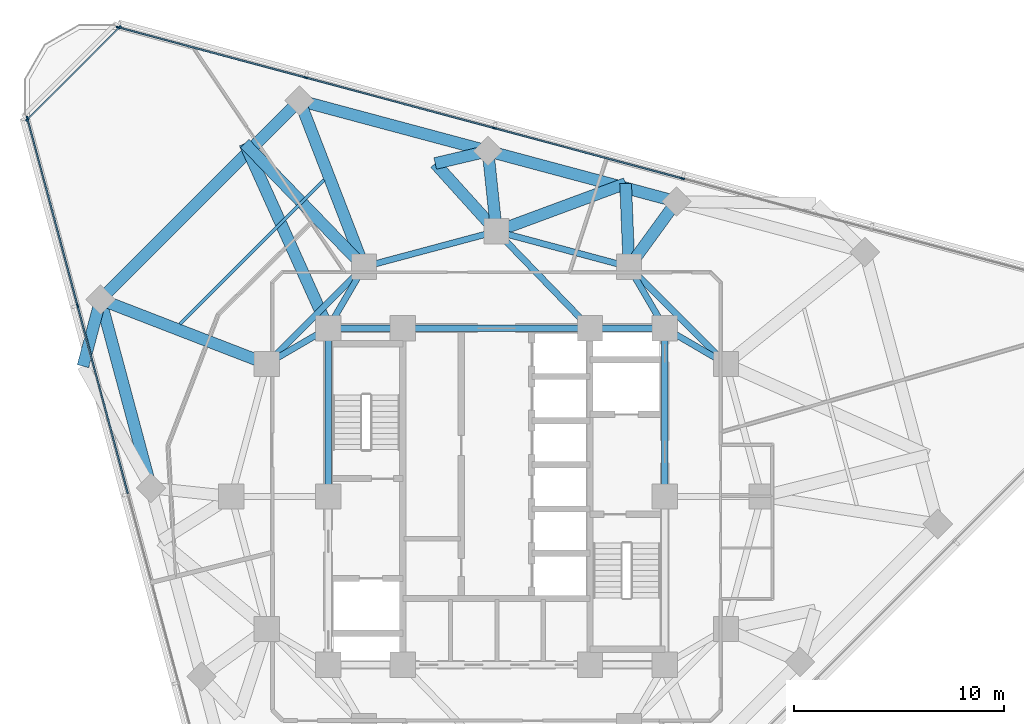
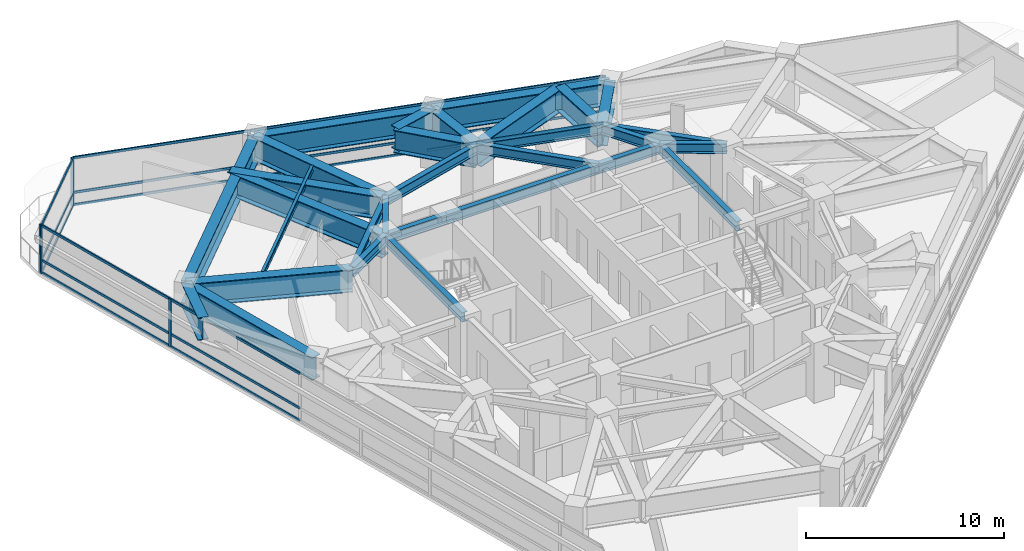
# One storey, part 5 of 15: 30 beams, 26 members, 3 elements without a shape of their own.
"""IFC4 building model written with IfcOpenShell, lengths in metres."""

from ifc_helpers import new_model, si_unit, direction, frame, origin, origin_2d, place, context, subcontext, project, spatial, rectangle, i_section, extrude, material, layer, layer_set, material_profile, profile_set, type_object, element, aggregate, save


model = new_model("IFC4")

# Units and contexts
model_context = context("Model", 3, precision=1e-05, world=origin(), true_north=direction((0.0, 1.0)))
body_context = subcontext(model_context, "Body", "Model", "MODEL_VIEW")
ifc_project = project(units=[si_unit("LENGTHUNIT", "METRE"), si_unit("AREAUNIT", "SQUARE_METRE"), si_unit("VOLUMEUNIT", "CUBIC_METRE"), si_unit("PLANEANGLEUNIT", "RADIAN"), si_unit("MASSUNIT", "GRAM", prefix="KILO")], contexts=[model_context])

# Site, building, storey
site_placement = place(None, origin())
site = spatial("IfcSite", under=ifc_project, at=site_placement, CompositionType="ELEMENT")
building_placement = place(site_placement, origin())
building = spatial("IfcBuilding", under=site, at=building_placement, Name="Terralouvre Media Tower", CompositionType="ELEMENT")
storey_placement = place(building_placement, frame((0.0, 0.0, 210.10009765625)))
storey = spatial("IfcBuildingStorey", under=building, at=storey_placement, Name="L54", CompositionType="ELEMENT", Elevation=210.10009765625)

# Beam
ifc_material_1 = material(Name="Structural steel S355J2", Category="steel")
ifc_material_profile_1 = material_profile(ifc_material_1, i_section(OverallWidth=0.159912109375, OverallDepth=0.330078125, WebThickness=0.007568359375, FlangeThickness=0.011474609375, at=origin_2d()), Name="IPE 330")
ifc_profile_set_1 = profile_set([ifc_material_profile_1], Name="Structural steel S355J2")
beam_type_1 = type_object("IfcBeamType", Name="Composite Floor Joist J-IPE330 (IPE 330)", PredefinedType="JOIST", material=ifc_profile_set_1)
beam_1_placement = place(storey_placement, frame((-8.1962890625, 15.0439453125, 3.294921875), z_axis=(-0.707106781187, -0.707106781187, 0.0), x_axis=(0.707106781187, -0.707106781187, 0.0)))
element("IfcBeam", 1, at=beam_1_placement, inside=storey, type_object=beam_type_1, Name="L54 Framing Beam JT-L54-05", PredefinedType="JOIST", context=body_context, shape_type="SweptSolid", body=[
    extrude(i_section(OverallWidth=0.159912109375, OverallDepth=0.330078125, WebThickness=0.007568359375, FlangeThickness=0.011474609375, at=origin_2d()), origin(), (0.0, 0.0, 1.0), 9.68408203125),
])

# Curtain wall, members
ifc_material_2 = material(Name="Low-iron laminated double glazing with solar-control coating", Category="glass")
ifc_layer_1 = layer(ifc_material_2, 0.1650390625, Name="Production Studio Tower Curtain Wall CW-03")
ifc_layer_set_1 = layer_set([ifc_layer_1], Name="Low-iron laminated double glazing with solar-control coating")
curtain_wall_type_1 = type_object("IfcCurtainWallType", Name="Production Studio Tower Curtain Wall CW-03", PredefinedType="NOTDEFINED", material=ifc_layer_set_1)
curtain_wall_1_placement = place(storey_placement, origin())
curtain_wall_1 = element("IfcCurtainWall", 2, at=curtain_wall_1_placement, inside=storey, type_object=curtain_wall_type_1, Name="L54 Facade Curtain Wall F1", PredefinedType="NOTDEFINED")
ifc_material_3 = material(Name="Anodised extruded aluminium 6063-T6", Category="aluminium")
ifc_material_profile_2 = material_profile(ifc_material_3, rectangle(XDim=0.074951171875, YDim=0.14990234375, at=origin_2d()), Name="ALU 75x150")
ifc_profile_set_2 = profile_set([ifc_material_profile_2], Name="Anodised extruded aluminium 6063-T6")
member_type_1 = type_object("IfcMemberType", Name="Curtain-Wall Horizontal Transom TR-150", PredefinedType="USERDEFINED", material=ifc_profile_set_2)
member_1_placement = place(storey_placement, frame((8.8115234375, 15.117431640625, 0.037353515625), z_axis=(-0.965926723605, 0.25881569625, 0.0), x_axis=(-0.25881569625, -0.965926723605, 0.0)))
member_1 = element("IfcMember", 3, at=member_1_placement, type_object=member_type_1, Name="CW-03 transom 3.1", ObjectType="TRANSOM", PredefinedType="USERDEFINED", context=body_context, shape_type="SweptSolid", body=[
    extrude(rectangle(XDim=0.074951171875, YDim=0.14990234375, at=origin_2d()), origin(), (0.0, 0.0, 1.0), 9.197265625),
])
member_2_placement = place(storey_placement, frame((8.8115234375, 15.117431640625, 0.7998046875), z_axis=(-0.965926723605, 0.25881569625, 0.0), x_axis=(-0.25881569625, -0.965926723605, 0.0)))
member_2 = element("IfcMember", 4, at=member_2_placement, type_object=member_type_1, Name="CW-03 transom 3.2", ObjectType="TRANSOM", PredefinedType="USERDEFINED", context=body_context, shape_type="SweptSolid", body=[
    extrude(rectangle(XDim=0.074951171875, YDim=0.14990234375, at=origin_2d()), origin(), (0.0, 0.0, 1.0), 9.197265625),
])
member_3_placement = place(storey_placement, frame((8.8115234375, 15.117431640625, 2.92236328125), z_axis=(-0.965926723605, 0.25881569625, 0.0), x_axis=(-0.25881569625, -0.965926723605, 0.0)))
member_3 = element("IfcMember", 5, at=member_3_placement, type_object=member_type_1, Name="CW-03 transom 3.3", ObjectType="TRANSOM", PredefinedType="USERDEFINED", context=body_context, shape_type="SweptSolid", body=[
    extrude(rectangle(XDim=0.074951171875, YDim=0.14990234375, at=origin_2d()), origin(), (0.0, 0.0, 1.0), 9.197265625),
])
member_4_placement = place(storey_placement, frame((-0.14453125, 17.517333984375, 0.037353515625), z_axis=(-0.965926723605, 0.25881569625, 0.0), x_axis=(-0.25881569625, -0.965926723605, 0.0)))
member_4 = element("IfcMember", 6, at=member_4_placement, type_object=member_type_1, Name="CW-03 transom 4.1", ObjectType="TRANSOM", PredefinedType="USERDEFINED", context=body_context, shape_type="SweptSolid", body=[
    extrude(rectangle(XDim=0.074951171875, YDim=0.14990234375, at=origin_2d()), origin(), (0.0, 0.0, 1.0), 9.197265625),
])
member_5_placement = place(storey_placement, frame((-0.14453125, 17.517333984375, 0.7998046875), z_axis=(-0.965926723605, 0.25881569625, 0.0), x_axis=(-0.25881569625, -0.965926723605, 0.0)))
member_5 = element("IfcMember", 7, at=member_5_placement, type_object=member_type_1, Name="CW-03 transom 4.2", ObjectType="TRANSOM", PredefinedType="USERDEFINED", context=body_context, shape_type="SweptSolid", body=[
    extrude(rectangle(XDim=0.074951171875, YDim=0.14990234375, at=origin_2d()), origin(), (0.0, 0.0, 1.0), 9.197265625),
])
member_6_placement = place(storey_placement, frame((-0.14453125, 17.517333984375, 2.92236328125), z_axis=(-0.965926723605, 0.25881569625, 0.0), x_axis=(-0.25881569625, -0.965926723605, 0.0)))
member_6 = element("IfcMember", 8, at=member_6_placement, type_object=member_type_1, Name="CW-03 transom 4.3", ObjectType="TRANSOM", PredefinedType="USERDEFINED", context=body_context, shape_type="SweptSolid", body=[
    extrude(rectangle(XDim=0.074951171875, YDim=0.14990234375, at=origin_2d()), origin(), (0.0, 0.0, 1.0), 9.197265625),
])
member_7_placement = place(storey_placement, frame((-9.1005859375, 19.9169921875, 0.037353515625), z_axis=(-0.965927230856, 0.25881380313, 0.0), x_axis=(-0.25881380313, -0.965927230856, 0.0)))
member_7 = element("IfcMember", 9, at=member_7_placement, type_object=member_type_1, Name="CW-03 transom 5.1", ObjectType="TRANSOM", PredefinedType="USERDEFINED", context=body_context, shape_type="SweptSolid", body=[
    extrude(rectangle(XDim=0.074951171875, YDim=0.14990234375, at=origin_2d()), origin(), (0.0, 0.0, 1.0), 9.159423828125),
])
member_8_placement = place(storey_placement, frame((-9.1005859375, 19.9169921875, 0.7998046875), z_axis=(-0.965927230856, 0.25881380313, 0.0), x_axis=(-0.25881380313, -0.965927230856, 0.0)))
member_8 = element("IfcMember", 10, at=member_8_placement, type_object=member_type_1, Name="CW-03 transom 5.2", ObjectType="TRANSOM", PredefinedType="USERDEFINED", context=body_context, shape_type="SweptSolid", body=[
    extrude(rectangle(XDim=0.074951171875, YDim=0.14990234375, at=origin_2d()), origin(), (0.0, 0.0, 1.0), 9.159423828125),
])
member_9_placement = place(storey_placement, frame((-9.1005859375, 19.9169921875, 2.92236328125), z_axis=(-0.965927230856, 0.25881380313, 0.0), x_axis=(-0.25881380313, -0.965927230856, 0.0)))
member_9 = element("IfcMember", 11, at=member_9_placement, type_object=member_type_1, Name="CW-03 transom 5.3", ObjectType="TRANSOM", PredefinedType="USERDEFINED", context=body_context, shape_type="SweptSolid", body=[
    extrude(rectangle(XDim=0.074951171875, YDim=0.14990234375, at=origin_2d()), origin(), (0.0, 0.0, 1.0), 9.159423828125),
])

curtain_wall_2_placement = place(storey_placement, origin())
curtain_wall_2 = element("IfcCurtainWall", 12, at=curtain_wall_2_placement, inside=storey, type_object=curtain_wall_type_1, Name="L54 Facade Curtain Wall F2", PredefinedType="NOTDEFINED")
member_10_placement = place(storey_placement, frame((-22.28759765625, 17.947998046875, 0.037353515625), z_axis=(0.25881380313, -0.965927230856, 0.0), x_axis=(0.965927230856, 0.25881380313, 0.0)))
member_10 = element("IfcMember", 13, at=member_10_placement, type_object=member_type_1, Name="CW-03 transom 1.1", ObjectType="TRANSOM", PredefinedType="USERDEFINED", context=body_context, shape_type="SweptSolid", body=[
    extrude(rectangle(XDim=0.074951171875, YDim=0.14990234375, at=origin_2d()), origin(), (0.0, 0.0, 1.0), 9.159423828125),
])
member_11_placement = place(storey_placement, frame((-22.28759765625, 17.947998046875, 0.7998046875), z_axis=(0.25881380313, -0.965927230856, 0.0), x_axis=(0.965927230856, 0.25881380313, 0.0)))
member_11 = element("IfcMember", 14, at=member_11_placement, type_object=member_type_1, Name="CW-03 transom 1.2", ObjectType="TRANSOM", PredefinedType="USERDEFINED", context=body_context, shape_type="SweptSolid", body=[
    extrude(rectangle(XDim=0.074951171875, YDim=0.14990234375, at=origin_2d()), origin(), (0.0, 0.0, 1.0), 9.159423828125),
])
member_12_placement = place(storey_placement, frame((-22.28759765625, 17.947998046875, 2.92236328125), z_axis=(0.25881380313, -0.965927230856, 0.0), x_axis=(0.965927230856, 0.25881380313, 0.0)))
member_12 = element("IfcMember", 15, at=member_12_placement, type_object=member_type_1, Name="CW-03 transom 1.3", ObjectType="TRANSOM", PredefinedType="USERDEFINED", context=body_context, shape_type="SweptSolid", body=[
    extrude(rectangle(XDim=0.074951171875, YDim=0.14990234375, at=origin_2d()), origin(), (0.0, 0.0, 1.0), 9.159423828125),
])
member_13_placement = place(storey_placement, frame((-19.897705078125, 9.0283203125, 0.037353515625), z_axis=(0.25881569625, -0.965926723605, 0.0), x_axis=(0.965926723605, 0.25881569625, 0.0)))
member_13 = element("IfcMember", 16, at=member_13_placement, type_object=member_type_1, Name="CW-03 transom 2.1", ObjectType="TRANSOM", PredefinedType="USERDEFINED", context=body_context, shape_type="SweptSolid", body=[
    extrude(rectangle(XDim=0.074951171875, YDim=0.14990234375, at=origin_2d()), origin(), (0.0, 0.0, 1.0), 9.197265625),
])
member_14_placement = place(storey_placement, frame((-19.897705078125, 9.0283203125, 0.7998046875), z_axis=(0.25881569625, -0.965926723605, 0.0), x_axis=(0.965926723605, 0.25881569625, 0.0)))
member_14 = element("IfcMember", 17, at=member_14_placement, type_object=member_type_1, Name="CW-03 transom 2.2", ObjectType="TRANSOM", PredefinedType="USERDEFINED", context=body_context, shape_type="SweptSolid", body=[
    extrude(rectangle(XDim=0.074951171875, YDim=0.14990234375, at=origin_2d()), origin(), (0.0, 0.0, 1.0), 9.197265625),
])
member_15_placement = place(storey_placement, frame((-19.897705078125, 9.0283203125, 2.92236328125), z_axis=(0.25881569625, -0.965926723605, 0.0), x_axis=(0.965926723605, 0.25881569625, 0.0)))
member_15 = element("IfcMember", 18, at=member_15_placement, type_object=member_type_1, Name="CW-03 transom 2.3", ObjectType="TRANSOM", PredefinedType="USERDEFINED", context=body_context, shape_type="SweptSolid", body=[
    extrude(rectangle(XDim=0.074951171875, YDim=0.14990234375, at=origin_2d()), origin(), (0.0, 0.0, 1.0), 9.197265625),
])

ifc_material_4 = material(Name="Low-iron laminated double glazing with solar-control coating", Category="glass")
ifc_layer_2 = layer(ifc_material_4, 0.1650390625, Name="Rounded Wind-Corner Curved Glazing CW-04")
ifc_layer_set_2 = layer_set([ifc_layer_2], Name="Low-iron laminated double glazing with solar-control coating")
curtain_wall_type_2 = type_object("IfcCurtainWallType", Name="Rounded Wind-Corner Curved Glazing CW-04", PredefinedType="NOTDEFINED", material=ifc_layer_set_2)
curtain_wall_3_placement = place(storey_placement, origin())
curtain_wall_3 = element("IfcCurtainWall", 19, at=curtain_wall_3_placement, inside=storey, type_object=curtain_wall_type_2, Name="L54 Rounded Wind-Corner Curtain Wall C2", PredefinedType="NOTDEFINED")
member_16_placement = place(storey_placement, frame((-17.943603515625, 22.27099609375, 0.037353515625), z_axis=(-0.707106781187, -0.707106781187, 0.0), x_axis=(0.707106781187, -0.707106781187, 0.0)))
member_16 = element("IfcMember", 20, at=member_16_placement, type_object=member_type_1, Name="CW-04 transom 1.1", ObjectType="TRANSOM", PredefinedType="USERDEFINED", context=body_context, shape_type="SweptSolid", body=[
    extrude(rectangle(XDim=0.074951171875, YDim=0.14990234375, at=origin_2d()), origin(), (0.0, 0.0, 1.0), 6.119873046875),
])
member_17_placement = place(storey_placement, frame((-17.943603515625, 22.27099609375, 0.7998046875), z_axis=(-0.707106781187, -0.707106781187, 0.0), x_axis=(0.707106781187, -0.707106781187, 0.0)))
member_17 = element("IfcMember", 21, at=member_17_placement, type_object=member_type_1, Name="CW-04 transom 1.2", ObjectType="TRANSOM", PredefinedType="USERDEFINED", context=body_context, shape_type="SweptSolid", body=[
    extrude(rectangle(XDim=0.074951171875, YDim=0.14990234375, at=origin_2d()), origin(), (0.0, 0.0, 1.0), 6.119873046875),
])
member_18_placement = place(storey_placement, frame((-17.943603515625, 22.27099609375, 2.92236328125), z_axis=(-0.707106781187, -0.707106781187, 0.0), x_axis=(0.707106781187, -0.707106781187, 0.0)))
member_18 = element("IfcMember", 22, at=member_18_placement, type_object=member_type_1, Name="CW-04 transom 1.3", ObjectType="TRANSOM", PredefinedType="USERDEFINED", context=body_context, shape_type="SweptSolid", body=[
    extrude(rectangle(XDim=0.074951171875, YDim=0.14990234375, at=origin_2d()), origin(), (0.0, 0.0, 1.0), 6.119873046875),
])

# Member
ifc_material_5 = material(Name="Anodised extruded aluminium 6063-T6", Category="aluminium")
ifc_material_profile_3 = material_profile(ifc_material_5, rectangle(XDim=0.074951171875, YDim=0.179931640625, at=origin_2d()), Name="ALU 75x180")
ifc_profile_set_3 = profile_set([ifc_material_profile_3], Name="Anodised extruded aluminium 6063-T6")
member_type_2 = type_object("IfcMemberType", Name="Curtain-Wall Vertical Mullion ML-180", PredefinedType="MULLION", material=ifc_profile_set_3)
member_19_placement = place(storey_placement, frame((8.84765625, 15.10791015625, 0.0), z_axis=(0.0, 0.0, 1.0), x_axis=(-0.25881903342, -0.96592582942, 0.0)))
member_19 = element("IfcMember", 23, at=member_19_placement, type_object=member_type_2, Name="CW-03 mullion 3", PredefinedType="MULLION", context=body_context, shape_type="SweptSolid", body=[
    extrude(rectangle(XDim=0.074951171875, YDim=0.179931640625, at=origin_2d()), origin(), (0.0, 0.0, 1.0), 2.9599609375),
])

member_20_placement = place(storey_placement, frame((-0.1083984375, 17.507568359375, 0.0), z_axis=(0.0, 0.0, 1.0), x_axis=(-0.25881903342, -0.96592582942, 0.0)))
member_20 = element("IfcMember", 24, at=member_20_placement, type_object=member_type_2, Name="CW-03 mullion 4", PredefinedType="MULLION", context=body_context, shape_type="SweptSolid", body=[
    extrude(rectangle(XDim=0.074951171875, YDim=0.179931640625, at=origin_2d()), origin(), (0.0, 0.0, 1.0), 2.9599609375),
])

member_21_placement = place(storey_placement, frame((-9.064453125, 19.907470703125, 0.0), z_axis=(0.0, 0.0, 1.0), x_axis=(-0.25881903342, -0.96592582942, 0.0)))
member_21 = element("IfcMember", 25, at=member_21_placement, type_object=member_type_2, Name="CW-03 mullion 5", PredefinedType="MULLION", context=body_context, shape_type="SweptSolid", body=[
    extrude(rectangle(XDim=0.074951171875, YDim=0.179931640625, at=origin_2d()), origin(), (0.0, 0.0, 1.0), 2.9599609375),
])

member_22_placement = place(storey_placement, frame((-17.984375, 22.29736328125, 0.0), z_axis=(0.0, 0.0, 1.0), x_axis=(-0.25881903342, -0.96592582942, 0.0)))
member_22 = element("IfcMember", 26, at=member_22_placement, type_object=member_type_2, Name="CW-03 mullion 6", PredefinedType="MULLION", context=body_context, shape_type="SweptSolid", body=[
    extrude(rectangle(XDim=0.074951171875, YDim=0.179931640625, at=origin_2d()), origin(), (0.0, 0.0, 1.0), 2.9599609375),
])

aggregate(curtain_wall_1, [member_19, member_20, member_21, member_22, member_1, member_2, member_3, member_4, member_5, member_6, member_7, member_8, member_9])

member_23_placement = place(storey_placement, frame((-22.29736328125, 17.984375, 0.0), z_axis=(0.0, 0.0, 1.0), x_axis=(0.96592582942, 0.25881903342, 0.0)))
member_23 = element("IfcMember", 27, at=member_23_placement, type_object=member_type_2, Name="CW-03 mullion 1", PredefinedType="MULLION", context=body_context, shape_type="SweptSolid", body=[
    extrude(rectangle(XDim=0.074951171875, YDim=0.179931640625, at=origin_2d()), origin(), (0.0, 0.0, 1.0), 2.9599609375),
])

member_24_placement = place(storey_placement, frame((-19.907470703125, 9.064453125, 0.0), z_axis=(0.0, 0.0, 1.0), x_axis=(0.96592582942, 0.25881903342, 0.0)))
member_24 = element("IfcMember", 28, at=member_24_placement, type_object=member_type_2, Name="CW-03 mullion 2", PredefinedType="MULLION", context=body_context, shape_type="SweptSolid", body=[
    extrude(rectangle(XDim=0.074951171875, YDim=0.179931640625, at=origin_2d()), origin(), (0.0, 0.0, 1.0), 2.9599609375),
])

aggregate(curtain_wall_2, [member_23, member_24, member_10, member_11, member_12, member_13, member_14, member_15])

member_25_placement = place(storey_placement, frame((-17.9169921875, 22.297607421875, 0.0), z_axis=(0.0, 0.0, 1.0), x_axis=(0.707106781187, -0.707106781187, 0.0)))
member_25 = element("IfcMember", 29, at=member_25_placement, type_object=member_type_2, Name="CW-04 mullion 1", PredefinedType="MULLION", context=body_context, shape_type="SweptSolid", body=[
    extrude(rectangle(XDim=0.074951171875, YDim=0.179931640625, at=origin_2d()), origin(), (0.0, 0.0, 1.0), 2.9599609375),
])

member_26_placement = place(storey_placement, frame((-22.297607421875, 17.9169921875, 0.0), z_axis=(0.0, 0.0, 1.0), x_axis=(0.707106781187, -0.707106781187, 0.0)))
member_26 = element("IfcMember", 30, at=member_26_placement, type_object=member_type_2, Name="CW-04 mullion 2", PredefinedType="MULLION", context=body_context, shape_type="SweptSolid", body=[
    extrude(rectangle(XDim=0.074951171875, YDim=0.179931640625, at=origin_2d()), origin(), (0.0, 0.0, 1.0), 2.9599609375),
])

aggregate(curtain_wall_3, [member_25, member_26, member_16, member_17, member_18])

# Beams
ifc_material_6 = material(Name="Structural steel S460M", Category="steel")
ifc_material_profile_4 = material_profile(ifc_material_6, i_section(OverallWidth=0.300048828125, OverallDepth=0.60009765625, WebThickness=0.015380859375, FlangeThickness=0.030029296875, at=origin_2d()), Name="HEB 600")
ifc_profile_set_4 = profile_set([ifc_material_profile_4], Name="Structural steel S460M")
beam_type_2 = type_object("IfcBeamType", Name="Primary Floor Girder B-HEB600 (HEB 600)", PredefinedType="BEAM", material=ifc_profile_set_4)
beam_2_placement = place(storey_placement, frame((8.0, 0.0, 3.159912109375), z_axis=(0.0, 1.0, 0.0), x_axis=(-1.0, 0.0, 0.0)))
element("IfcBeam", 31, at=beam_2_placement, inside=storey, type_object=beam_type_2, Name="L54 Framing Beam BM-L54-CPR05", PredefinedType="BEAM", context=body_context, shape_type="SweptSolid", body=[
    extrude(i_section(OverallWidth=0.300048828125, OverallDepth=0.60009765625, WebThickness=0.015380859375, FlangeThickness=0.030029296875, at=origin_2d()), origin(), (0.0, 0.0, 1.0), 8.0),
])
beam_3_placement = place(storey_placement, frame((8.0, 8.0, 3.159912109375), z_axis=(-1.0, 0.0, 0.0), x_axis=(0.0, -1.0, 0.0)))
element("IfcBeam", 32, at=beam_3_placement, inside=storey, type_object=beam_type_2, Name="L54 Framing Beam BM-L54-CPR06", PredefinedType="BEAM", context=body_context, shape_type="SweptSolid", body=[
    extrude(i_section(OverallWidth=0.300048828125, OverallDepth=0.60009765625, WebThickness=0.015380859375, FlangeThickness=0.030029296875, at=origin_2d()), origin(), (0.0, 0.0, 1.0), 3.550048828125),
])
beam_4_placement = place(storey_placement, frame((4.449951171875, 8.0, 3.159912109375), z_axis=(-1.0, 0.0, 0.0), x_axis=(0.0, -1.0, 0.0)))
element("IfcBeam", 33, at=beam_4_placement, inside=storey, type_object=beam_type_2, Name="L54 Framing Beam BM-L54-CPR07", PredefinedType="BEAM", context=body_context, shape_type="SweptSolid", body=[
    extrude(i_section(OverallWidth=0.300048828125, OverallDepth=0.60009765625, WebThickness=0.015380859375, FlangeThickness=0.030029296875, at=origin_2d()), origin(), (0.0, 0.0, 1.0), 8.89990234375),
])
beam_5_placement = place(storey_placement, frame((-4.449951171875, 8.0, 3.159912109375), z_axis=(-1.0, 0.0, 0.0), x_axis=(0.0, -1.0, 0.0)))
element("IfcBeam", 34, at=beam_5_placement, inside=storey, type_object=beam_type_2, Name="L54 Framing Beam BM-L54-CPR08", PredefinedType="BEAM", context=body_context, shape_type="SweptSolid", body=[
    extrude(i_section(OverallWidth=0.300048828125, OverallDepth=0.60009765625, WebThickness=0.015380859375, FlangeThickness=0.030029296875, at=origin_2d()), origin(), (0.0, 0.0, 1.0), 3.550048828125),
])
beam_6_placement = place(storey_placement, frame((-8.0, 8.0, 3.159912109375), z_axis=(0.0, -1.0, 0.0), x_axis=(1.0, 0.0, 0.0)))
element("IfcBeam", 35, at=beam_6_placement, inside=storey, type_object=beam_type_2, Name="L54 Framing Beam BM-L54-CPR09", PredefinedType="BEAM", context=body_context, shape_type="SweptSolid", body=[
    extrude(i_section(OverallWidth=0.300048828125, OverallDepth=0.60009765625, WebThickness=0.015380859375, FlangeThickness=0.030029296875, at=origin_2d()), origin(), (0.0, 0.0, 1.0), 8.0),
])
beam_7_placement = place(storey_placement, frame((10.911865234375, 6.300048828125, 3.159912109375), z_axis=(-0.707106781187, 0.707106781187, 0.0), x_axis=(-0.707106781187, -0.707106781187, 0.0)))
element("IfcBeam", 36, at=beam_7_placement, inside=storey, type_object=beam_type_2, Name="L54 Framing Beam BM-L54-MR07", PredefinedType="BEAM", context=body_context, shape_type="SweptSolid", body=[
    extrude(i_section(OverallWidth=0.300048828125, OverallDepth=0.60009765625, WebThickness=0.015380859375, FlangeThickness=0.030029296875, at=origin_2d()), origin(), (0.0, 0.0, 1.0), 6.52197265625),
])
for number, where, z_axis, x_axis, name in (
    (37, (6.300048828125, 10.911865234375, 3.159912109375), (-0.965920481897, 0.258838989821, 0.0), (-0.258838989821, -0.965920481897, 0.0), "L54 Framing Beam BM-L54-MR08"),
    (38, (0.0, 12.60009765625, 3.159912109375), (-0.965920481897, -0.258838989821, 0.0), (0.258838989821, -0.965920481897, 0.0), "L54 Framing Beam BM-L54-MR09"),
):
    element("IfcBeam", number, at=place(storey_placement, frame(where, z_axis=z_axis, x_axis=x_axis)), inside=storey, type_object=beam_type_2, Name=name, PredefinedType="BEAM", context=body_context, shape_type="SweptSolid", body=[
        extrude(i_section(OverallWidth=0.300048828125, OverallDepth=0.60009765625, WebThickness=0.015380859375, FlangeThickness=0.030029296875, at=origin_2d()), origin(), (0.0, 0.0, 1.0), 6.522216796875),
    ])
beam_8_placement = place(storey_placement, frame((-6.300048828125, 10.911865234375, 3.159912109375), z_axis=(-0.707106781187, -0.707106781187, 0.0), x_axis=(0.707106781187, -0.707106781187, 0.0)))
element("IfcBeam", 39, at=beam_8_placement, inside=storey, type_object=beam_type_2, Name="L54 Framing Beam BM-L54-MR10", PredefinedType="BEAM", context=body_context, shape_type="SweptSolid", body=[
    extrude(i_section(OverallWidth=0.300048828125, OverallDepth=0.60009765625, WebThickness=0.015380859375, FlangeThickness=0.030029296875, at=origin_2d()), origin(), (0.0, 0.0, 1.0), 6.52197265625),
])
for number, where, z_axis, x_axis, name in (
    (40, (8.0, 8.0, 3.159912109375), (0.863602894532, -0.504172629717, 0.0), (0.504172629717, 0.863602894532, 0.0), "L54 Framing Beam BM-L54-CM07"),
    (41, (8.0, 8.0, 3.159912109375), (-0.504172629717, 0.863602894532, 0.0), (-0.863602894532, -0.504172629717, 0.0), "L54 Framing Beam BM-L54-CM08"),
):
    element("IfcBeam", number, at=place(storey_placement, frame(where, z_axis=z_axis, x_axis=x_axis)), inside=storey, type_object=beam_type_2, Name=name, PredefinedType="BEAM", context=body_context, shape_type="SweptSolid", body=[
        extrude(i_section(OverallWidth=0.300048828125, OverallDepth=0.60009765625, WebThickness=0.015380859375, FlangeThickness=0.030029296875, at=origin_2d()), origin(), (0.0, 0.0, 1.0), 3.371826171875),
    ])
beam_9_placement = place(storey_placement, frame((4.449951171875, 8.0, 3.159912109375), z_axis=(-0.695279715726, 0.718739255155, 0.0), x_axis=(-0.718739255155, -0.695279715726, 0.0)))
element("IfcBeam", 42, at=beam_9_placement, inside=storey, type_object=beam_type_2, Name="L54 Framing Beam BM-L54-CM09", PredefinedType="BEAM", context=body_context, shape_type="SweptSolid", body=[
    extrude(i_section(OverallWidth=0.300048828125, OverallDepth=0.60009765625, WebThickness=0.015380859375, FlangeThickness=0.030029296875, at=origin_2d()), origin(), (0.0, 0.0, 1.0), 6.400146484375),
])
for number, where, z_axis, x_axis, name in (
    (43, (-8.0, 8.0, 3.159912109375), (0.504172629717, 0.863602894532, 0.0), (-0.863602894532, 0.504172629717, 0.0), "L54 Framing Beam BM-L54-CM10"),
    (44, (-8.0, 8.0, 3.159912109375), (-0.863602894532, -0.504172629717, 0.0), (0.504172629717, -0.863602894532, 0.0), "L54 Framing Beam BM-L54-CM11"),
):
    element("IfcBeam", number, at=place(storey_placement, frame(where, z_axis=z_axis, x_axis=x_axis)), inside=storey, type_object=beam_type_2, Name=name, PredefinedType="BEAM", context=body_context, shape_type="SweptSolid", body=[
        extrude(i_section(OverallWidth=0.300048828125, OverallDepth=0.60009765625, WebThickness=0.015380859375, FlangeThickness=0.030029296875, at=origin_2d()), origin(), (0.0, 0.0, 1.0), 3.371826171875),
    ])
ifc_material_7 = material(Name="Structural steel S460M", Category="steel")
ifc_material_profile_5 = material_profile(ifc_material_7, i_section(OverallWidth=0.56005859375, OverallDepth=1.39990234375, WebThickness=0.031982421875, FlangeThickness=0.050048828125, at=origin_2d()), Name="TG 1400x560")
ifc_profile_set_5 = profile_set([ifc_material_profile_5], Name="Structural steel S460M")
beam_type_3 = type_object("IfcBeamType", Name="Welded Transfer Girder TG-1400 (TG 1400x560)", PredefinedType="USERDEFINED", material=ifc_profile_set_5)
for number, where, z_axis, x_axis, name in (
    (45, (8.55517578125, 14.016357421875, 2.760009765625), (-0.965928776458, 0.258808034669, 0.0), (-0.258808034669, -0.965928776458, 0.0), "L54 Framing Beam BM-L54-PR08"),
    (46, (-0.40087890625, 16.416015625, 2.760009765625), (-0.965922193685, 0.258832601786, 0.0), (-0.258832601786, -0.965922193685, 0.0), "L54 Framing Beam BM-L54-PR09"),
):
    element("IfcBeam", number, at=place(storey_placement, frame(where, z_axis=z_axis, x_axis=x_axis)), inside=storey, type_object=beam_type_3, Name=name, ObjectType="TRANSFER GIRDER", PredefinedType="USERDEFINED", context=body_context, shape_type="SweptSolid", body=[
        extrude(i_section(OverallWidth=0.56005859375, OverallDepth=1.39990234375, WebThickness=0.031982421875, FlangeThickness=0.050048828125, at=origin_2d()), origin(), (0.0, 0.0, 1.0), 9.27197265625),
    ])
beam_10_placement = place(storey_placement, frame((-9.35693359375, 18.81591796875, 2.760009765625), z_axis=(-0.707106781187, -0.707106781187, 0.0), x_axis=(0.707106781187, -0.707106781187, 0.0)))
element("IfcBeam", 47, at=beam_10_placement, inside=storey, type_object=beam_type_3, Name="L54 Framing Beam BM-L54-PR10", ObjectType="TRANSFER GIRDER", PredefinedType="USERDEFINED", context=body_context, shape_type="SweptSolid", body=[
    extrude(i_section(OverallWidth=0.56005859375, OverallDepth=1.39990234375, WebThickness=0.031982421875, FlangeThickness=0.050048828125, at=origin_2d()), origin(), (0.0, 0.0, 1.0), 13.376953125),
])
beam_11_placement = place(storey_placement, frame((-18.81591796875, 9.35693359375, 2.760009765625), z_axis=(0.258832601786, -0.965922193685, 0.0), x_axis=(0.965922193685, 0.258832601786, 0.0)))
element("IfcBeam", 48, at=beam_11_placement, inside=storey, type_object=beam_type_3, Name="L54 Framing Beam BM-L54-PR11", ObjectType="TRANSFER GIRDER", PredefinedType="USERDEFINED", context=body_context, shape_type="SweptSolid", body=[
    extrude(i_section(OverallWidth=0.56005859375, OverallDepth=1.39990234375, WebThickness=0.031982421875, FlangeThickness=0.050048828125, at=origin_2d()), origin(), (0.0, 0.0, 1.0), 9.27197265625),
])
beam_12_placement = place(storey_placement, frame((6.300048828125, 10.911865234375, 2.760009765625), z_axis=(0.587713839807, 0.809068873767, 0.0), x_axis=(-0.809068873767, 0.587713839807, 0.0)))
element("IfcBeam", 49, at=beam_12_placement, inside=storey, type_object=beam_type_3, Name="L54 Framing Beam BM-L54-RD08", ObjectType="TRANSFER GIRDER", PredefinedType="USERDEFINED", context=body_context, shape_type="SweptSolid", body=[
    extrude(i_section(OverallWidth=0.56005859375, OverallDepth=1.39990234375, WebThickness=0.031982421875, FlangeThickness=0.050048828125, at=origin_2d()), origin(), (0.0, 0.0, 1.0), 3.837158203125),
])
beam_13_placement = place(storey_placement, frame((0.0, 12.60009765625, 2.760009765625), z_axis=(-0.104479425033, 0.994527048272, 0.0), x_axis=(-0.994527048272, -0.104479425033, 0.0)))
element("IfcBeam", 50, at=beam_13_placement, inside=storey, type_object=beam_type_3, Name="L54 Framing Beam BM-L54-RD09", ObjectType="TRANSFER GIRDER", PredefinedType="USERDEFINED", context=body_context, shape_type="SweptSolid", body=[
    extrude(i_section(OverallWidth=0.56005859375, OverallDepth=1.39990234375, WebThickness=0.031982421875, FlangeThickness=0.050048828125, at=origin_2d()), origin(), (0.0, 0.0, 1.0), 3.8369140625),
])
for number, where, z_axis, x_axis, name in (
    (51, (-6.300048828125, 10.911865234375, 2.760009765625), (-0.360712022835, 0.932677241377, 0.0), (-0.932677241377, -0.360712022835, 0.0), "L54 Framing Beam BM-L54-RD10"),
    (52, (-10.911865234375, 6.300048828125, 2.760009765625), (-0.932677241377, 0.360712022835, 0.0), (-0.360712022835, -0.932677241377, 0.0), "L54 Framing Beam BM-L54-RD11"),
):
    element("IfcBeam", number, at=place(storey_placement, frame(where, z_axis=z_axis, x_axis=x_axis)), inside=storey, type_object=beam_type_3, Name=name, ObjectType="TRANSFER GIRDER", PredefinedType="USERDEFINED", context=body_context, shape_type="SweptSolid", body=[
        extrude(i_section(OverallWidth=0.56005859375, OverallDepth=1.39990234375, WebThickness=0.031982421875, FlangeThickness=0.050048828125, at=origin_2d()), origin(), (0.0, 0.0, 1.0), 8.474609375),
    ])
beam_14_placement = place(storey_placement, frame((6.138427734375, 14.87451171875, 2.760009765625), z_axis=(0.040752268141, -0.999169281274, 0.0), x_axis=(0.999169281274, 0.040752268141, 0.0)))
element("IfcBeam", 53, at=beam_14_placement, inside=storey, type_object=beam_type_3, Name="L54 Framing Beam BM-L54-TR06S1", ObjectType="TRANSFER GIRDER", PredefinedType="USERDEFINED", context=body_context, shape_type="SweptSolid", body=[
    extrude(i_section(OverallWidth=0.56005859375, OverallDepth=1.39990234375, WebThickness=0.031982421875, FlangeThickness=0.050048828125, at=origin_2d()), origin(), (0.0, 0.0, 1.0), 3.9658203125),
])
beam_15_placement = place(storey_placement, frame((6.138427734375, 14.87451171875, 2.760009765625), z_axis=(-0.937702865103, -0.347438248869, 0.0), x_axis=(0.347438248869, -0.937702865103, 0.0)))
element("IfcBeam", 54, at=beam_15_placement, inside=storey, type_object=beam_type_3, Name="L54 Framing Beam BM-L54-TR06S2", ObjectType="TRANSFER GIRDER", PredefinedType="USERDEFINED", context=body_context, shape_type="SweptSolid", body=[
    extrude(i_section(OverallWidth=0.56005859375, OverallDepth=1.39990234375, WebThickness=0.031982421875, FlangeThickness=0.050048828125, at=origin_2d()), origin(), (0.0, 0.0, 1.0), 6.546142578125),
])
beam_16_placement = place(storey_placement, frame((-2.91162109375, 15.82568359375, 2.760009765625), z_axis=(0.973454397633, 0.228881051485, 0.0), x_axis=(-0.228881051485, 0.973454397633, 0.0)))
element("IfcBeam", 55, at=beam_16_placement, inside=storey, type_object=beam_type_3, Name="L54 Framing Beam BM-L54-TR07S1", ObjectType="TRANSFER GIRDER", PredefinedType="USERDEFINED", context=body_context, shape_type="SweptSolid", body=[
    extrude(i_section(OverallWidth=0.56005859375, OverallDepth=1.39990234375, WebThickness=0.031982421875, FlangeThickness=0.050048828125, at=origin_2d()), origin(), (0.0, 0.0, 1.0), 2.5791015625),
])
beam_17_placement = place(storey_placement, frame((-2.91162109375, 15.82568359375, 2.760009765625), z_axis=(0.670056658177, -0.742309958732, 0.0), x_axis=(0.742309958732, 0.670056658177, 0.0)))
element("IfcBeam", 56, at=beam_17_placement, inside=storey, type_object=beam_type_3, Name="L54 Framing Beam BM-L54-TR07S2", ObjectType="TRANSFER GIRDER", PredefinedType="USERDEFINED", context=body_context, shape_type="SweptSolid", body=[
    extrude(i_section(OverallWidth=0.56005859375, OverallDepth=1.39990234375, WebThickness=0.031982421875, FlangeThickness=0.050048828125, at=origin_2d()), origin(), (0.0, 0.0, 1.0), 4.34521484375),
])
beam_18_placement = place(storey_placement, frame((-11.9619140625, 16.77685546875, 2.760009765625), z_axis=(0.694538392484, -0.719455642389, 0.0), x_axis=(0.719455642389, 0.694538392484, 0.0)))
element("IfcBeam", 57, at=beam_18_placement, inside=storey, type_object=beam_type_3, Name="L54 Framing Beam BM-L54-TR08S1", ObjectType="TRANSFER GIRDER", PredefinedType="USERDEFINED", context=body_context, shape_type="SweptSolid", body=[
    extrude(i_section(OverallWidth=0.56005859375, OverallDepth=1.39990234375, WebThickness=0.031982421875, FlangeThickness=0.050048828125, at=origin_2d()), origin(), (0.0, 0.0, 1.0), 8.152099609375),
])
beam_19_placement = place(storey_placement, frame((-11.9619140625, 16.77685546875, 2.760009765625), z_axis=(0.411429119853, -0.911441758609, 0.0), x_axis=(0.911441758609, 0.411429119853, 0.0)))
element("IfcBeam", 58, at=beam_19_placement, inside=storey, type_object=beam_type_3, Name="L54 Framing Beam BM-L54-TR08S2", ObjectType="TRANSFER GIRDER", PredefinedType="USERDEFINED", context=body_context, shape_type="SweptSolid", body=[
    extrude(i_section(OverallWidth=0.56005859375, OverallDepth=1.39990234375, WebThickness=0.031982421875, FlangeThickness=0.050048828125, at=origin_2d()), origin(), (0.0, 0.0, 1.0), 9.629638671875),
])
beam_20_placement = place(storey_placement, frame((-19.65234375, 6.192138671875, 2.760009765625), z_axis=(0.255517401001, 0.96680445685, 0.0), x_axis=(-0.96680445685, 0.255517401001, 0.0)))
element("IfcBeam", 59, at=beam_20_placement, inside=storey, type_object=beam_type_3, Name="L54 Framing Beam BM-L54-TR09S1", ObjectType="TRANSFER GIRDER", PredefinedType="USERDEFINED", context=body_context, shape_type="SweptSolid", body=[
    extrude(i_section(OverallWidth=0.56005859375, OverallDepth=1.39990234375, WebThickness=0.031982421875, FlangeThickness=0.050048828125, at=origin_2d()), origin(), (0.0, 0.0, 1.0), 3.2734375),
])

save(model, "model.ifc")
